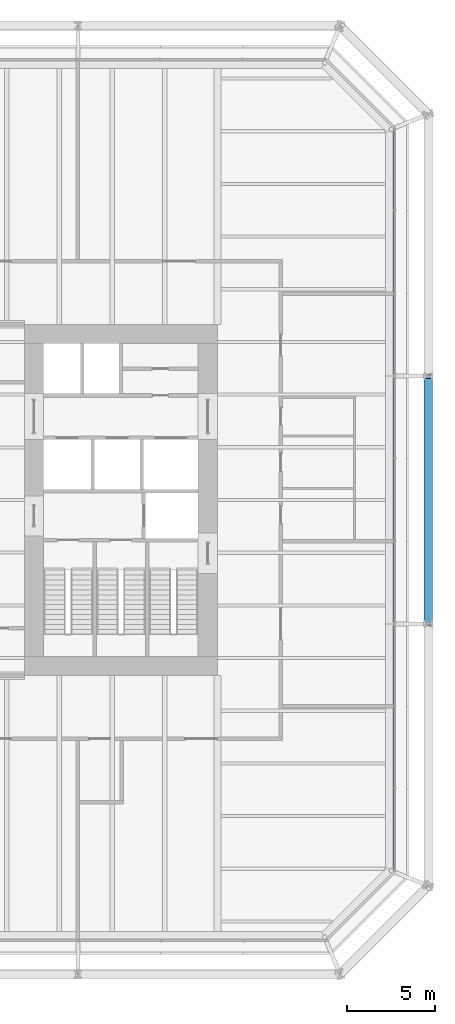
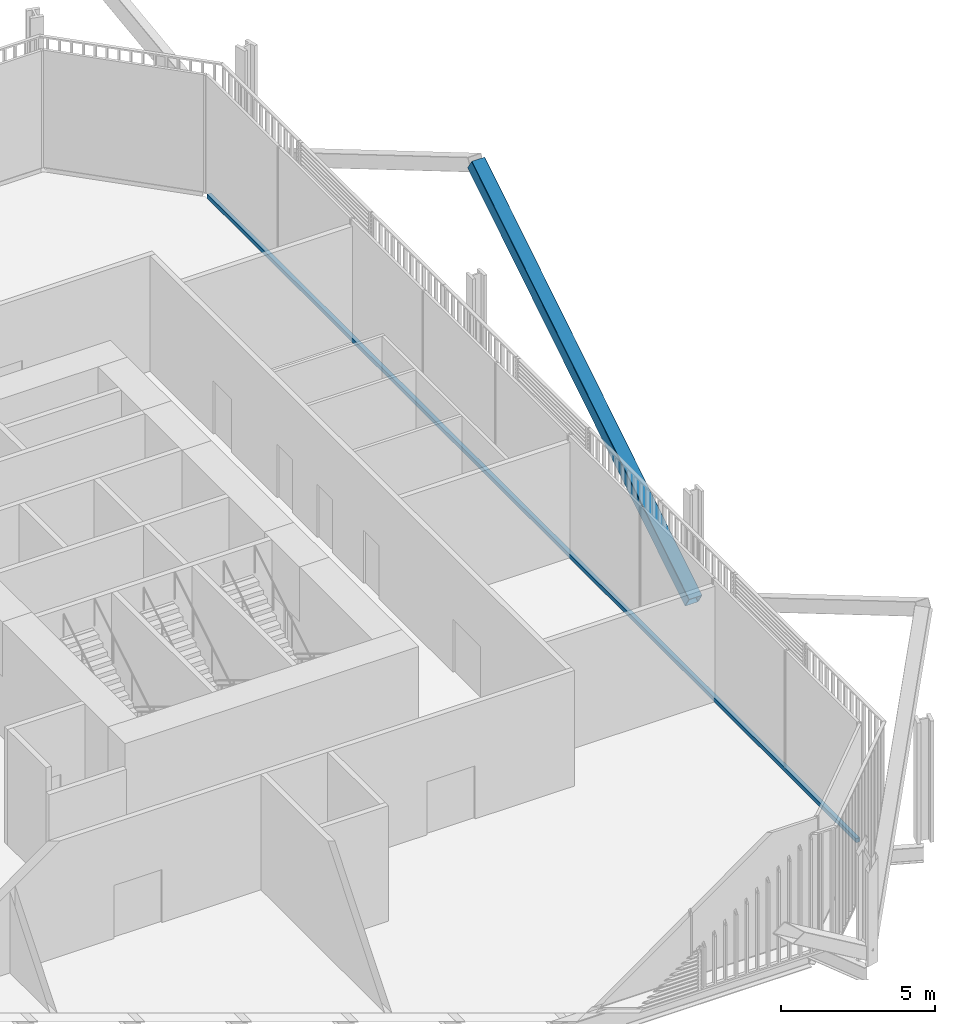
# One storey, part 10 of 22: 2 members, 1 element without a shape of its own.
"""IFC4 building model written with IfcOpenShell, lengths in metres."""

from ifc_helpers import new_model, si_unit, direction, frame, origin, origin_2d, place, context, subcontext, project, spatial, rectangle, hollow_rectangle, extrude, material, layer, layer_set, material_profile, profile_set, type_object, element, aggregate, save


model = new_model("IFC4")

# Units and contexts
model_context = context("Model", 3, precision=1e-05, world=origin(), true_north=direction((0.0, 1.0)))
body_context = subcontext(model_context, "Body", "Model", "MODEL_VIEW")
ifc_project = project(units=[si_unit("LENGTHUNIT", "METRE"), si_unit("AREAUNIT", "SQUARE_METRE"), si_unit("VOLUMEUNIT", "CUBIC_METRE"), si_unit("PLANEANGLEUNIT", "RADIAN"), si_unit("MASSUNIT", "GRAM", prefix="KILO")], contexts=[model_context])

# Site, building, storey
site_placement = place(None, origin())
site = spatial("IfcSite", under=ifc_project, at=site_placement, CompositionType="ELEMENT")
building_placement = place(site_placement, origin())
building = spatial("IfcBuilding", under=site, at=building_placement, Name="Millrace Tower", CompositionType="ELEMENT")
storey_placement = place(building_placement, frame((0.0, 0.0, 35.300048828125)))
storey = spatial("IfcBuildingStorey", under=building, at=storey_placement, Name="L08", CompositionType="ELEMENT", Elevation=35.300048828125)

# Curtain wall, member
ifc_material_1 = material(Name="Aluminium and glass", Category="aluminium")
ifc_layer = layer(ifc_material_1, 0.14990234375)
ifc_layer_set = layer_set([ifc_layer], Name="Aluminium and glass")
curtain_wall_type = type_object("IfcCurtainWallType", Name="CW-2 data hall insulated curtain wall", PredefinedType="NOTDEFINED", material=ifc_layer_set)
curtain_wall_placement = place(storey_placement, origin())
curtain_wall = element("IfcCurtainWall", 1, at=curtain_wall_placement, inside=storey, type_object=curtain_wall_type, Name="Curtain wall A-F04 L08", PredefinedType="NOTDEFINED")
ifc_material_2 = material(Name="Aluminium", Category="aluminium")
ifc_material_profile_1 = material_profile(ifc_material_2, rectangle(XDim=0.14990234375, YDim=0.159912109375, at=origin_2d()))
ifc_profile_set_1 = profile_set([ifc_material_profile_1], Name="Aluminium")
member_type_1 = type_object("IfcMemberType", Name="CW-2 data hall insulated curtain wall transom", PredefinedType="USERDEFINED", material=ifc_profile_set_1)
member_1_placement = place(storey_placement, frame((25.074951171875, -21.050048828125, 0.079833984375), z_axis=(0.0, 1.0, 0.0), x_axis=(-1.0, 0.0, 0.0)))
member_1 = element("IfcMember", 2, at=member_1_placement, type_object=member_type_1, Name="CW2 transom A-F04.1", ObjectType="TRANSOM", PredefinedType="USERDEFINED", context=body_context, shape_type="SweptSolid", body=[
    extrude(rectangle(XDim=0.14990234375, YDim=0.159912109375, at=origin_2d()), origin(), (0.0, 0.0, 1.0), 42.10009765625),
])
aggregate(curtain_wall, [member_1])

# Member
ifc_material_3 = material(Name="Steel ASTM A500 Grade C", Category="steel")
ifc_material_profile_2 = material_profile(ifc_material_3, hollow_rectangle(XDim=0.508056640625, YDim=0.508056640625, WallThickness=0.01904296875, InnerFilletRadius=0.009521484375, OuterFilletRadius=0.028564453125, at=origin_2d()))
ifc_profile_set_2 = profile_set([ifc_material_profile_2], Name="Steel ASTM A500 Grade C")
member_type_2 = type_object("IfcMemberType", Name="Exoskeleton brace HSS20x20x3/4", PredefinedType="BRACE", material=ifc_profile_set_2)
member_2_placement = place(storey_placement, frame((27.0, -7.050048828125, 0.39990234375), z_axis=(0.0, 0.848336468551, 0.529457492276), x_axis=(-1.0, 0.0, 0.0)))
element("IfcMember", 3, at=member_2_placement, inside=storey, type_object=member_type_2, Name="BRC-A-L08-07", PredefinedType="BRACE", context=body_context, shape_type="SweptSolid", body=[
    extrude(hollow_rectangle(XDim=0.508056640625, YDim=0.508056640625, WallThickness=0.01904296875, InnerFilletRadius=0.009521484375, OuterFilletRadius=0.028564453125, at=origin_2d()), origin(), (0.0, 0.0, 1.0), 16.620849609375),
])

save(model, "model.ifc")
